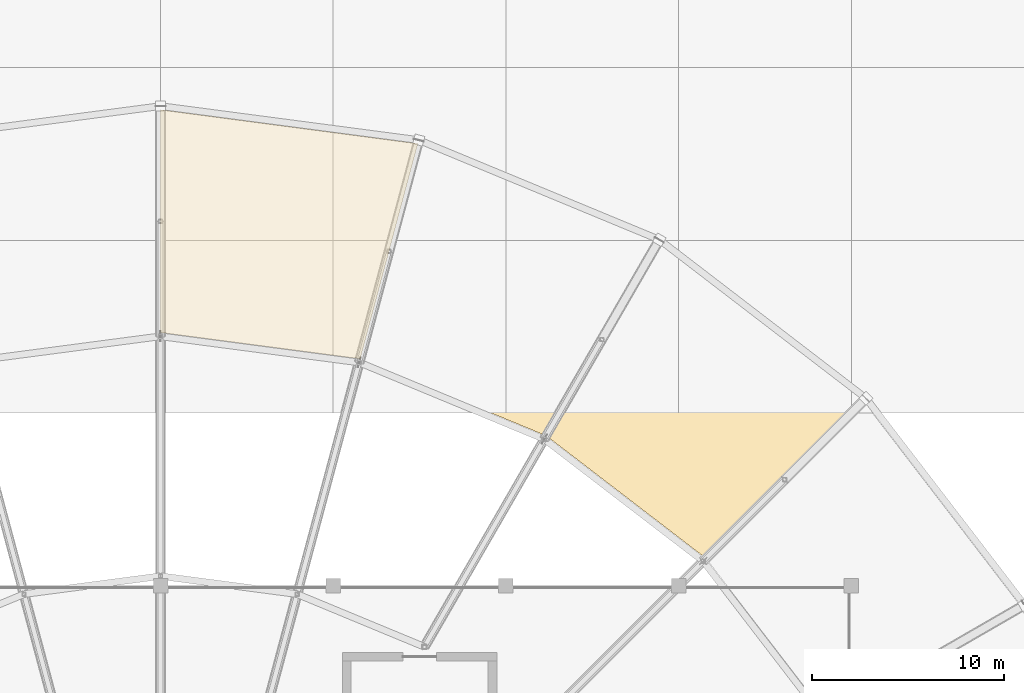
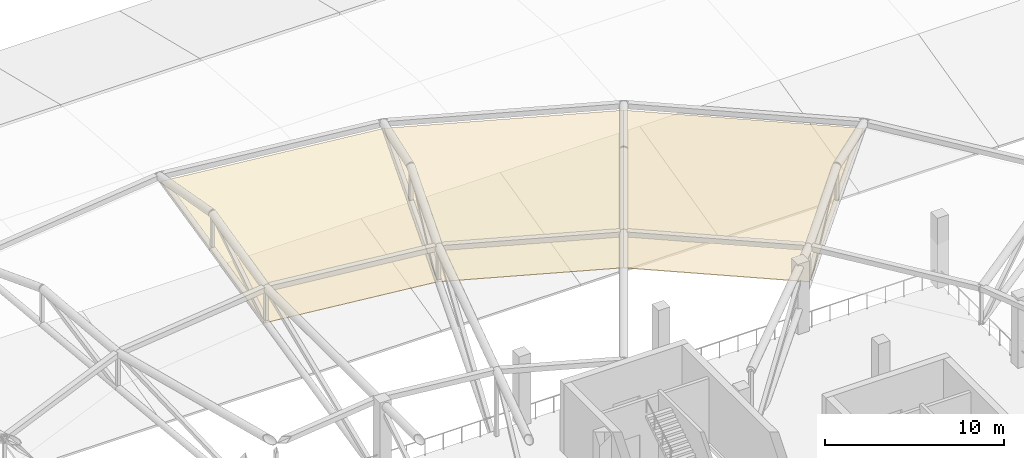
# One storey, part 160 of 167: 3 coverings.
"""IFC4 building model written with IfcOpenShell, lengths in metres."""

from ifc_helpers import new_model, si_unit, direction, frame, origin, place, context, subcontext, project, spatial, polyline, outline, extrude, material, layer, layer_set, type_object, element, save


model = new_model("IFC4")

# Units and contexts
model_context = context("Model", 3, precision=1e-05, world=origin(), true_north=direction((0.0, 1.0)))
body_context = subcontext(model_context, "Body", "Model", "MODEL_VIEW")
ifc_project = project(units=[si_unit("LENGTHUNIT", "METRE"), si_unit("AREAUNIT", "SQUARE_METRE"), si_unit("VOLUMEUNIT", "CUBIC_METRE"), si_unit("PLANEANGLEUNIT", "RADIAN"), si_unit("MASSUNIT", "GRAM", prefix="KILO")], contexts=[model_context])

# Site, building, storey
site_placement = place(None, origin())
site = spatial("IfcSite", under=ifc_project, at=site_placement, CompositionType="ELEMENT")
building_placement = place(site_placement, origin())
building = spatial("IfcBuilding", under=site, at=building_placement, Name="Dornveld Trade and Exhibition Forum", CompositionType="ELEMENT")
storey_placement = place(building_placement, frame((0.0, 0.0, 16.800048828125)))
storey = spatial("IfcBuildingStorey", under=building, at=storey_placement, Name="L03", CompositionType="ELEMENT", Elevation=16.800048828125)

# Coverings
ifc_material = material(Name="Acoustic perforated aluminium soffit panel", Category="aluminium")
ifc_layer = layer(ifc_material, 0.044921875)
ifc_layer_set = layer_set([ifc_layer], Name="Acoustic perforated aluminium soffit panel")
covering_type = type_object("IfcCoveringType", Name="COV-SOFFIT-DISC", PredefinedType="CEILING", material=ifc_layer_set)
covering_1_placement = place(storey_placement, frame((145.42578125, 109.42578125, 1.9111328125), z_axis=(-0.135870052813, -0.177072359886, 0.974774183138), x_axis=(0.689562157584, 0.68956214752, 0.221377676236)))
element("IfcCovering", 1, at=covering_1_placement, inside=storey, type_object=covering_type, Name="Floating disc conical soffit panel 4", PredefinedType="CEILING", context=body_context, shape_type="SweptSolid", body=[
    extrude(outline(polyline([(0.0, 0.0), (11.895072972280731, -2.7755575615628914e-17), (10.173692747521988, 13.412583265581787), (-1.3358583944717388, 10.408866344154898), (0.0, 0.0)])), origin(), (0.0, 0.0, -1.0), 0.044921875),
])
covering_2_placement = place(storey_placement, frame((137.10009765625, 115.814208984375, 1.9111328125), z_axis=(-0.085410312961, -0.206203115777, 0.974774514174), x_axis=(0.487581702923, 0.844545114921, 0.221376674106)))
element("IfcCovering", 2, at=covering_2_placement, inside=storey, type_object=covering_type, Name="Floating disc conical soffit panel 5", PredefinedType="CEILING", context=body_context, shape_type="SweptSolid", body=[
    extrude(outline(polyline([(0.0, 0.0), (11.895044465406349, 2.7755575615628914e-17), (10.17396227641924, 13.41251758413816), (-1.3357933527418937, 10.408971113645803), (0.0, 0.0)])), origin(), (0.0, 0.0, -1.0), 0.044921875),
])
covering_3_placement = place(storey_placement, frame((127.404541015625, 119.830078125, 1.9111328125), z_axis=(-0.029133938647, -0.221280443125, 0.97477493767), x_axis=(0.252387300846, 0.941962679743, 0.221375157464)))
element("IfcCovering", 3, at=covering_3_placement, inside=storey, type_object=covering_type, Name="Floating disc conical soffit panel 6", PredefinedType="CEILING", context=body_context, shape_type="SweptSolid", body=[
    extrude(outline(polyline([(0.0, 0.0), (11.895199285579976, 9.159339953157541e-16), (10.174201711338686, 13.412475771730909), (-1.335604737328647, 10.408995431644788), (0.0, 0.0)])), origin(), (0.0, 0.0, -1.0), 0.044921875),
])

save(model, "model.ifc")
